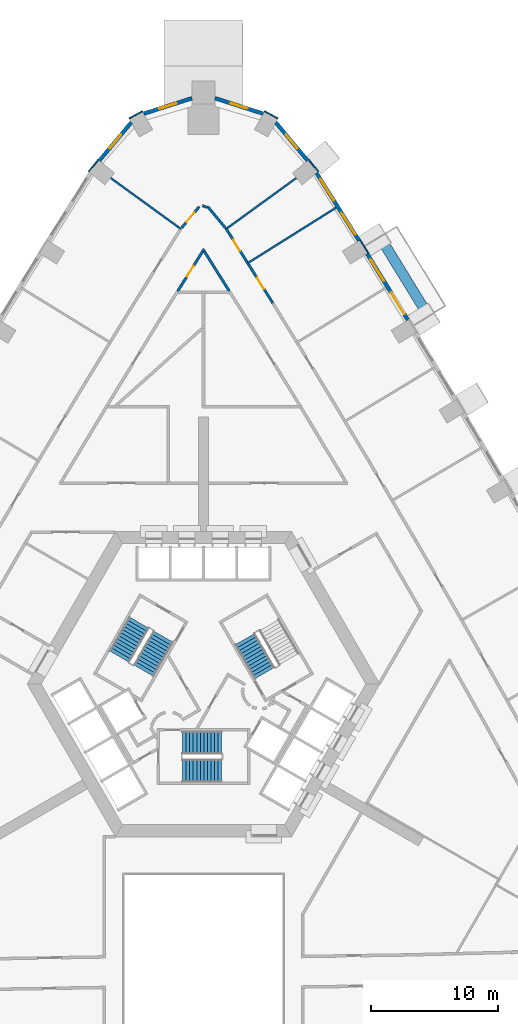
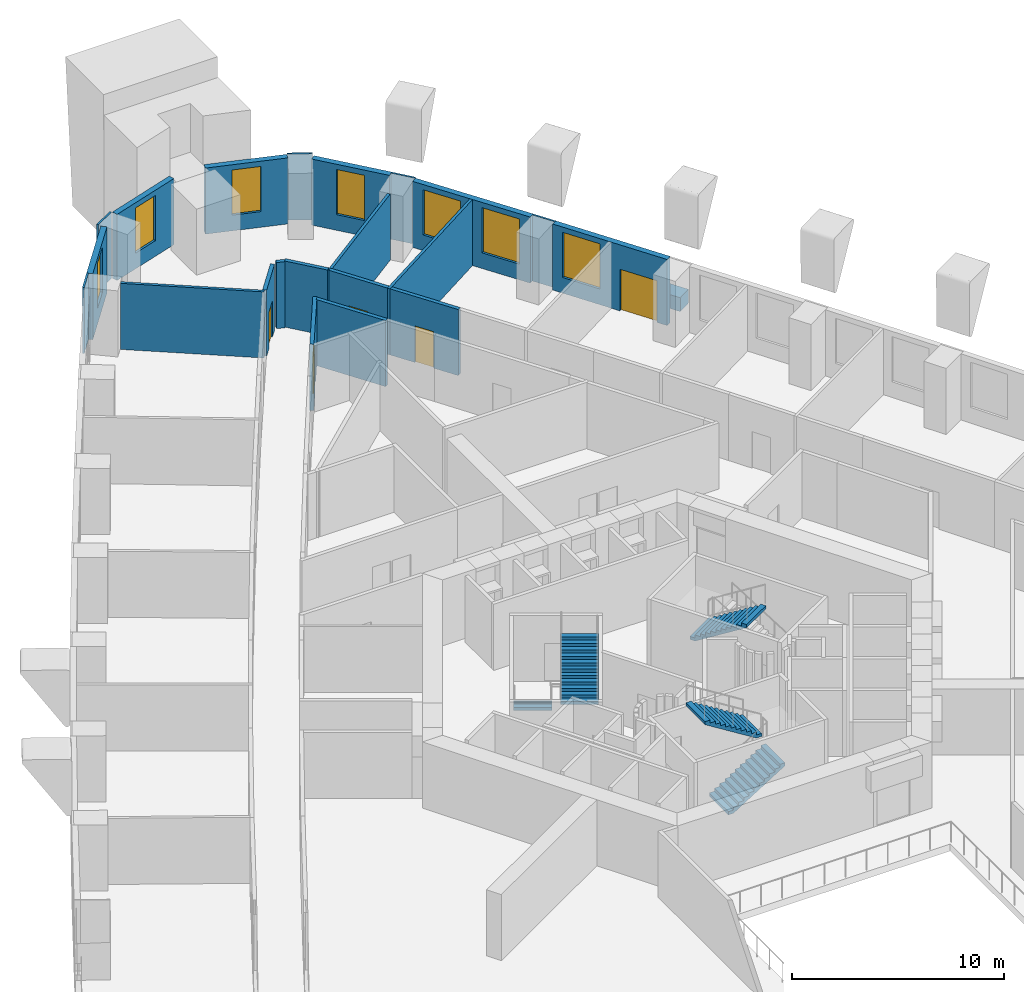
# One storey, part 12 of 17: 22 walls, 7 windows, 5 doors, 5 stair flights, 12 openings, 3 elements without a shape of their own.
"""IFC4 building model written with IfcOpenShell, lengths in metres."""

from ifc_helpers import new_model, si_unit, direction, frame, frame_2d, origin, place, context, subcontext, project, spatial, polyline, rectangle, outline, extrude, material, layer, layer_set, type_object, element, fill, aggregate, save


model = new_model("IFC4")

# Units and contexts
model_context = context("Model", 3, precision=1e-05, world=origin(), true_north=direction((0.0, 1.0)))
body_context = subcontext(model_context, "Body", "Model", "MODEL_VIEW")
ifc_project = project(units=[si_unit("LENGTHUNIT", "METRE"), si_unit("AREAUNIT", "SQUARE_METRE"), si_unit("VOLUMEUNIT", "CUBIC_METRE"), si_unit("PLANEANGLEUNIT", "RADIAN"), si_unit("MASSUNIT", "GRAM", prefix="KILO")], contexts=[model_context])

# Site, building, storey
site_placement = place(None, origin())
site = spatial("IfcSite", under=ifc_project, at=site_placement, CompositionType="ELEMENT")
building_placement = place(site_placement, origin())
building = spatial("IfcBuilding", under=site, at=building_placement, Name="Entoto Arch Interchange Tower", CompositionType="ELEMENT")
storey_placement = place(building_placement, frame((0.0, 0.0, 72.800048828125)))
storey = spatial("IfcBuildingStorey", under=building, at=storey_placement, Name="L15", CompositionType="ELEMENT", Elevation=72.800048828125)

# Walls
ifc_material_1 = material(Name="Gypsum board partition on steel studs", Category="steel")
ifc_layer_1 = layer(ifc_material_1, 0.14990234375)
ifc_layer_set_1 = layer_set([ifc_layer_1], Name="Gypsum board partition on steel studs")
wall_type_1 = type_object("IfcWallType", Name="PARTITION 150", PredefinedType="PARTITIONING", material=ifc_layer_set_1)
wall_1_placement = place(storey_placement, frame((3.39306640625, 35.54296875, 0.0), z_axis=(0.0, 0.0, 1.0), x_axis=(0.847089858839, 0.531449688166, 0.0)))
element("IfcWall", 1, at=wall_1_placement, inside=storey, type_object=wall_type_1, Name="wall:L15:p140", PredefinedType="PARTITIONING", context=body_context, shape_type="SweptSolid", body=[
    extrude(rectangle(XDim=8.30029296875, YDim=0.14990234375, at=frame_2d((4.150146484375, 0.0))), origin(), (0.0, 0.0, 1.0), 3.800048828125),
])
wall_2_placement = place(storey_placement, frame((1.7080078125, 38.22998046875, 0.0), z_axis=(0.0, 0.0, 1.0), x_axis=(0.809349578957, 0.58732721633, 0.0)))
element("IfcWall", 2, at=wall_2_placement, inside=storey, type_object=wall_type_1, Name="wall:L15:p141", PredefinedType="PARTITIONING", context=body_context, shape_type="SweptSolid", body=[
    extrude(rectangle(XDim=6.895751953125, YDim=0.14990234375, at=frame_2d((3.44775390625, 0.0))), origin(), (0.0, 0.0, 1.0), 3.800048828125),
])
wall_3_placement = place(storey_placement, frame((-1.7880859375, 38.2890625, 0.0), z_axis=(0.0, 0.0, 1.0), x_axis=(-0.809417495555, 0.587233614408, 0.0)))
element("IfcWall", 3, at=wall_3_placement, inside=storey, type_object=wall_type_1, Name="wall:L15:p142", PredefinedType="PARTITIONING", context=body_context, shape_type="SweptSolid", body=[
    extrude(rectangle(XDim=6.796142578125, YDim=0.14990234375, at=frame_2d((3.39794921875, 0.0))), origin(), (0.0, 0.0, 1.0), 3.800048828125),
])
ifc_layer_2 = layer(ifc_material_1, 0.199951171875)
ifc_layer_set_2 = layer_set([ifc_layer_2], Name="Gypsum board partition on steel studs")
wall_type_2 = type_object("IfcWallType", Name="PARTITION 200", PredefinedType="PARTITIONING", material=ifc_layer_set_2)
wall_4_placement = place(storey_placement, frame((2.031005859375, 33.385009765625, 0.0), z_axis=(0.0, 0.0, 1.0), x_axis=(-0.53130100335, 0.847183122967, 0.0)))
element("IfcWall", 4, at=wall_4_placement, inside=storey, type_object=wall_type_2, Name="wall:L15:p018", PredefinedType="PARTITIONING", context=body_context, shape_type="SweptSolid", body=[
    extrude(rectangle(XDim=3.722900390625, YDim=0.199951171875, at=frame_2d((1.861328125, 0.0))), origin(), (0.0, 0.0, 1.0), 3.800048828125),
])

# Wall, opening, door
wall_5_placement = place(storey_placement, frame((0.052978515625, 36.7080078125, 0.0), z_axis=(0.0, 0.0, 1.0), x_axis=(-0.53130190932, -0.847182554797, 0.0)))
wall_5 = element("IfcWall", 5, at=wall_5_placement, inside=storey, type_object=wall_type_2, Name="wall:L15:p019", PredefinedType="PARTITIONING", context=body_context, shape_type="SweptSolid", body=[
    extrude(rectangle(XDim=3.92236328125, YDim=0.199951171875, at=frame_2d((1.961181640625, 0.0))), origin(), (0.0, 0.0, 1.0), 3.800048828125),
])
opening_1_placement = place(wall_5_placement, frame((1.56201171875, 0.0, 0.0)))
opening_1 = element("IfcOpeningElement", 6, at=opening_1_placement, cuts=wall_5, Name="Opening L15-D28", PredefinedType="OPENING", context=body_context, shape_type="SweptSolid", body=[
    extrude(rectangle(XDim=1.0, YDim=2.10009765625, at=frame_2d((0.5, 1.050048828125))), frame((0.0, 0.10986328125, 0.0), z_axis=(0.0, -1.0, 0.0), x_axis=(1.0, 0.0, 0.0)), (0.0, 0.0, 1.0), 0.219970703125),
])
ifc_material_2 = material(Name="Timber door leaf in Steel S235 frame", Category="steel")
door_type_1 = type_object("IfcDoorType", Name="DOOR DS-10 1000x2100", OperationType="SINGLE_SWING_LEFT", PredefinedType="DOOR", material=ifc_material_2)
door_1_placement = place(opening_1_placement, origin())
door_1 = element("IfcDoor", 7, at=door_1_placement, inside=storey, type_object=door_type_1, Name="door:L15:28", OperationType="SINGLE_SWING_LEFT", OverallHeight=2.10009765625, OverallWidth=1.0, PredefinedType="DOOR", context=body_context, shape_type="SweptSolid", body=[
    extrude(rectangle(XDim=1.0, YDim=2.10009765625, at=frame_2d((0.5, 1.050048828125))), frame((0.0, 0.02490234375, 0.0), z_axis=(0.0, -1.0, 0.0), x_axis=(1.0, 0.0, 0.0)), (0.0, 0.0, 1.0), 0.050048828125),
])
fill(opening_1, door_1)

wall_6_placement = place(storey_placement, frame((3.51708984375, 35.532958984375, 0.0), z_axis=(0.0, 0.0, 1.0), x_axis=(0.531301282969, -0.847182947607, 0.0)))
wall_6 = element("IfcWall", 8, at=wall_6_placement, inside=storey, type_object=wall_type_2, Name="wall:L15:p054", PredefinedType="PARTITIONING", context=body_context, shape_type="SweptSolid", body=[
    extrude(rectangle(XDim=3.637939453125, YDim=0.199951171875, at=frame_2d((1.81884765625, 0.0))), origin(), (0.0, 0.0, 1.0), 3.800048828125),
])
opening_2_placement = place(wall_6_placement, frame((1.319091796875, 0.0, 0.0)))
opening_2 = element("IfcOpeningElement", 9, at=opening_2_placement, cuts=wall_6, Name="Opening L15-D09", PredefinedType="OPENING", context=body_context, shape_type="SweptSolid", body=[
    extrude(rectangle(XDim=1.0, YDim=2.10009765625, at=frame_2d((0.5, 1.050048828125))), frame((0.0, 0.10986328125, 0.0), z_axis=(0.0, -1.0, 0.0), x_axis=(1.0, 0.0, 0.0)), (0.0, 0.0, 1.0), 0.219970703125),
])
door_2_placement = place(opening_2_placement, origin())
door_2 = element("IfcDoor", 10, at=door_2_placement, inside=storey, type_object=door_type_1, Name="door:L15:09", OperationType="SINGLE_SWING_LEFT", OverallHeight=2.10009765625, OverallWidth=1.0, PredefinedType="DOOR", context=body_context, shape_type="SweptSolid", body=[
    extrude(rectangle(XDim=1.0, YDim=2.10009765625, at=frame_2d((0.5, 1.050048828125))), frame((0.0, 0.02490234375, 0.0), z_axis=(0.0, -1.0, 0.0), x_axis=(1.0, 0.0, 0.0)), (0.0, 0.0, 1.0), 0.050048828125),
])
fill(opening_2, door_2)

wall_7_placement = place(storey_placement, frame((1.77490234375, 38.31005859375, 0.0), z_axis=(0.0, 0.0, 1.0), x_axis=(0.531324164807, -0.847168597088, 0.0)))
wall_7 = element("IfcWall", 11, at=wall_7_placement, inside=storey, type_object=wall_type_2, Name="wall:L15:p056", PredefinedType="PARTITIONING", context=body_context, shape_type="SweptSolid", body=[
    extrude(rectangle(XDim=3.128173828125, YDim=0.199951171875, at=frame_2d((1.56396484375, 0.0))), origin(), (0.0, 0.0, 1.0), 3.800048828125),
])
opening_3_placement = place(wall_7_placement, frame((1.06396484375, 0.0, 0.0)))
opening_3 = element("IfcOpeningElement", 12, at=opening_3_placement, cuts=wall_7, Name="Opening L15-D10", PredefinedType="OPENING", context=body_context, shape_type="SweptSolid", body=[
    extrude(rectangle(XDim=1.0, YDim=2.10009765625, at=frame_2d((0.5, 1.050048828125))), frame((0.0, 0.10986328125, 0.0), z_axis=(0.0, -1.0, 0.0), x_axis=(1.0, 0.0, 0.0)), (0.0, 0.0, 1.0), 0.219970703125),
])
door_3_placement = place(opening_3_placement, origin())
door_3 = element("IfcDoor", 13, at=door_3_placement, inside=storey, type_object=door_type_1, Name="door:L15:10", OperationType="SINGLE_SWING_LEFT", OverallHeight=2.10009765625, OverallWidth=1.0, PredefinedType="DOOR", context=body_context, shape_type="SweptSolid", body=[
    extrude(rectangle(XDim=1.0, YDim=2.10009765625, at=frame_2d((0.5, 1.050048828125))), frame((0.0, 0.02490234375, 0.0), z_axis=(0.0, -1.0, 0.0), x_axis=(1.0, 0.0, 0.0)), (0.0, 0.0, 1.0), 0.050048828125),
])
fill(opening_3, door_3)

wall_8_placement = place(storey_placement, frame((-1.72412109375, 38.364990234375, 0.0), z_axis=(0.0, 0.0, 1.0), x_axis=(0.64036162185, 0.768073559799, 0.0)))
wall_8 = element("IfcWall", 14, at=wall_8_placement, inside=storey, type_object=wall_type_2, Name="wall:L15:p057", PredefinedType="PARTITIONING", context=body_context, shape_type="SweptSolid", body=[
    extrude(rectangle(XDim=2.167724609375, YDim=0.199951171875, at=frame_2d((1.083984375, 0.0))), origin(), (0.0, 0.0, 1.0), 3.800048828125),
])
opening_4_placement = place(wall_8_placement, frame((0.583984375, 0.0, 0.0)))
opening_4 = element("IfcOpeningElement", 15, at=opening_4_placement, cuts=wall_8, Name="Opening L15-D11", PredefinedType="OPENING", context=body_context, shape_type="SweptSolid", body=[
    extrude(rectangle(XDim=1.0, YDim=2.10009765625, at=frame_2d((0.5, 1.050048828125))), frame((0.0, 0.10986328125, 0.0), z_axis=(0.0, -1.0, 0.0), x_axis=(1.0, 0.0, 0.0)), (0.0, 0.0, 1.0), 0.219970703125),
])
door_4_placement = place(opening_4_placement, origin())
door_4 = element("IfcDoor", 16, at=door_4_placement, inside=storey, type_object=door_type_1, Name="door:L15:11", OperationType="SINGLE_SWING_LEFT", OverallHeight=2.10009765625, OverallWidth=1.0, PredefinedType="DOOR", context=body_context, shape_type="SweptSolid", body=[
    extrude(rectangle(XDim=1.0, YDim=2.10009765625, at=frame_2d((0.5, 1.050048828125))), frame((0.0, 0.02490234375, 0.0), z_axis=(0.0, -1.0, 0.0), x_axis=(1.0, 0.0, 0.0)), (0.0, 0.0, 1.0), 0.050048828125),
])
fill(opening_4, door_4)

# Walls
wall_9_placement = place(storey_placement, frame((-0.094970703125, 40.112060546875, 0.0), z_axis=(0.0, 0.0, 1.0), x_axis=(0.952282288042, -0.305218682065, 0.0)))
element("IfcWall", 17, at=wall_9_placement, inside=storey, type_object=wall_type_2, Name="wall:L15:p058", PredefinedType="PARTITIONING", context=body_context, shape_type="SweptSolid", body=[
    extrude(rectangle(XDim=0.419921875, YDim=0.199951171875, at=frame_2d((0.2099609375, 0.0))), origin(), (0.0, 0.0, 1.0), 3.800048828125),
])
wall_10_placement = place(storey_placement, frame((0.3359375, 40.030029296875, 0.0), z_axis=(0.0, 0.0, 1.0), x_axis=(0.64036162185, -0.768073559799, 0.0)))
element("IfcWall", 18, at=wall_10_placement, inside=storey, type_object=wall_type_2, Name="wall:L15:p059", PredefinedType="PARTITIONING", context=body_context, shape_type="SweptSolid", body=[
    extrude(rectangle(XDim=2.167724609375, YDim=0.199951171875, at=frame_2d((1.083984375, 0.0))), origin(), (0.0, 0.0, 1.0), 3.800048828125),
])
ifc_material_3 = material(Name="Board-marked precast concrete C50/60", Category="concrete")
ifc_layer_3 = layer(ifc_material_3, 0.800048828125)
ifc_layer_set_3 = layer_set([ifc_layer_3], Name="Board-marked precast concrete C50/60")
wall_type_3 = type_object("IfcWallType", Name="PLANTER RC 800 Juniperus procera", PredefinedType="STANDARD", material=ifc_layer_set_3)
wall_11_placement = place(storey_placement, frame((17.387939453125, 31.931884765625, 0.0), z_axis=(0.0, 0.0, 1.0), x_axis=(-0.523404063218, 0.852084612352, 0.0)))
element("IfcWall", 19, at=wall_11_placement, inside=storey, type_object=wall_type_3, Name="Planter NE-08 L15", PredefinedType="STANDARD", context=body_context, shape_type="SweptSolid", body=[
    extrude(rectangle(XDim=6.131103515625, YDim=0.800048828125, at=frame_2d((3.0654296875, 0.0))), origin(), (0.0, 0.0, 1.0), 0.800048828125),
])

# Wall, openings, door, window
ifc_material_4 = material(Name="Welded tuff (ignimbrite) cladding, warm buff", Category="masonry")
ifc_layer_4 = layer(ifc_material_4, 0.300048828125)
ifc_layer_set_4 = layer_set([ifc_layer_4], Name="Welded tuff (ignimbrite) cladding, warm buff")
wall_type_4 = type_object("IfcWallType", Name="STONE INFILL WALL 300", PredefinedType="STANDARD", material=ifc_layer_set_4)
wall_12_placement = place(storey_placement, frame((16.06689453125, 31.1201171875, 0.0), z_axis=(0.0, 0.0, 1.0), x_axis=(-0.523421823151, 0.852073702827, 0.0)))
wall_12 = element("IfcWall", 20, at=wall_12_placement, inside=storey, type_object=wall_type_4, Name="Facade wall NE-08 L15", PredefinedType="STANDARD", context=body_context, shape_type="SweptSolid", body=[
    extrude(rectangle(XDim=6.130859375, YDim=0.300048828125, at=frame_2d((3.0654296875, 0.0))), origin(), (0.0, 0.0, 1.0), 3.800048828125),
])
opening_5_placement = place(wall_12_placement, frame((0.532958984375, 0.0, 0.0)))
opening_5 = element("IfcOpeningElement", 21, at=opening_5_placement, cuts=wall_12, Name="Opening DB-NE-08-L15", PredefinedType="OPENING", context=body_context, shape_type="SweptSolid", body=[
    extrude(rectangle(XDim=2.0, YDim=2.39990234375, at=frame_2d((1.0, 1.199951171875))), frame((0.0, 0.16015625, 0.0), z_axis=(0.0, -1.0, 0.0), x_axis=(1.0, 0.0, 0.0)), (0.0, 0.0, 1.0), 0.320068359375),
])
opening_6_placement = place(wall_12_placement, frame((3.597900390625, 0.0, 0.89990234375)))
opening_6 = element("IfcOpeningElement", 22, at=opening_6_placement, cuts=wall_12, Name="Opening WO-C", PredefinedType="OPENING", context=body_context, shape_type="SweptSolid", body=[
    extrude(rectangle(XDim=2.0, YDim=2.60009765625, at=frame_2d((1.0, 1.300048828125))), frame((0.0, 0.16015625, 0.0), z_axis=(0.0, -1.0, 0.0), x_axis=(1.0, 0.0, 0.0)), (0.0, 0.0, 1.0), 0.320068359375),
])
ifc_material_5 = material(Name="Aluminium and clear glass, anodised", Category="aluminium")
door_type_2 = type_object("IfcDoorType", Name="BALCONY DOOR DB 2000x2400", OperationType="SLIDING_TO_LEFT", PredefinedType="DOOR", material=ifc_material_5)
door_5_placement = place(opening_5_placement, origin())
door_5 = element("IfcDoor", 23, at=door_5_placement, inside=storey, type_object=door_type_2, Name="Balcony door NE-08 L15", OperationType="SLIDING_TO_LEFT", OverallHeight=2.39990234375, OverallWidth=2.0, PredefinedType="DOOR", context=body_context, shape_type="SweptSolid", body=[
    extrude(rectangle(XDim=2.0, YDim=2.39990234375, at=frame_2d((1.0, 1.199951171875))), frame((0.0, 0.02490234375, 0.0), z_axis=(0.0, -1.0, 0.0), x_axis=(1.0, 0.0, 0.0)), (0.0, 0.0, 1.0), 0.050048828125),
])
fill(opening_5, door_5)
ifc_material_6 = material(Name="Clear glass, low-e double glazed", Category="glass")
window_type_1 = type_object("IfcWindowType", Name="WINDOW WO-C 2000x2600", PartitioningType="DOUBLE_PANEL_VERTICAL", PredefinedType="WINDOW", material=ifc_material_6)
window_1_placement = place(opening_6_placement, origin())
window_1 = element("IfcWindow", 24, at=window_1_placement, inside=storey, type_object=window_type_1, Name="Window WO-C NE-08 L15", OverallHeight=2.60009765625, OverallWidth=2.0, PartitioningType="SINGLE_PANEL", PredefinedType="WINDOW", context=body_context, shape_type="SweptSolid", body=[
    extrude(rectangle(XDim=2.0, YDim=2.60009765625, at=frame_2d((1.0, 1.300048828125))), frame((0.0, 0.030029296875, 0.0), z_axis=(0.0, -1.0, 0.0), x_axis=(1.0, 0.0, 0.0)), (0.0, 0.0, 1.0), 0.06005859375),
])
fill(opening_6, window_1)

# Wall, openings, windows
wall_13_placement = place(storey_placement, frame((12.22705078125, 37.362060546875, 0.0), z_axis=(0.0, 0.0, 1.0), x_axis=(-0.531357111884, 0.847147932565, 0.0)))
wall_13 = element("IfcWall", 25, at=wall_13_placement, inside=storey, type_object=wall_type_4, Name="Facade wall NE-09 L15", PredefinedType="STANDARD", context=body_context, shape_type="SweptSolid", body=[
    extrude(rectangle(XDim=6.2822265625, YDim=0.300048828125, at=frame_2d((3.14111328125, 0.0))), origin(), (0.0, 0.0, 1.0), 3.800048828125),
])
opening_7_placement = place(wall_13_placement, frame((0.571044921875, 0.0, 0.89990234375)))
opening_7 = element("IfcOpeningElement", 26, at=opening_7_placement, cuts=wall_13, Name="Opening WO-C", PredefinedType="OPENING", context=body_context, shape_type="SweptSolid", body=[
    extrude(rectangle(XDim=2.0, YDim=2.60009765625, at=frame_2d((1.0, 1.300048828125))), frame((0.0, 0.16015625, 0.0), z_axis=(0.0, -1.0, 0.0), x_axis=(1.0, 0.0, 0.0)), (0.0, 0.0, 1.0), 0.320068359375),
])
opening_8_placement = place(wall_13_placement, frame((3.7119140625, 0.0, 0.89990234375)))
opening_8 = element("IfcOpeningElement", 27, at=opening_8_placement, cuts=wall_13, Name="Opening WO-C", PredefinedType="OPENING", context=body_context, shape_type="SweptSolid", body=[
    extrude(rectangle(XDim=2.0, YDim=2.60009765625, at=frame_2d((1.0, 1.300048828125))), frame((0.0, 0.16015625, 0.0), z_axis=(0.0, -1.0, 0.0), x_axis=(1.0, 0.0, 0.0)), (0.0, 0.0, 1.0), 0.320068359375),
])
window_2_placement = place(opening_7_placement, origin())
window_2 = element("IfcWindow", 28, at=window_2_placement, inside=storey, type_object=window_type_1, Name="Window WO-C NE-09 L15", OverallHeight=2.60009765625, OverallWidth=2.0, PartitioningType="SINGLE_PANEL", PredefinedType="WINDOW", context=body_context, shape_type="SweptSolid", body=[
    extrude(rectangle(XDim=2.0, YDim=2.60009765625, at=frame_2d((1.0, 1.300048828125))), frame((0.0, 0.030029296875, 0.0), z_axis=(0.0, -1.0, 0.0), x_axis=(1.0, 0.0, 0.0)), (0.0, 0.0, 1.0), 0.06005859375),
])
fill(opening_7, window_2)
window_3_placement = place(opening_8_placement, origin())
window_3 = element("IfcWindow", 29, at=window_3_placement, inside=storey, type_object=window_type_1, Name="Window WO-C NE-09 L15", OverallHeight=2.60009765625, OverallWidth=2.0, PartitioningType="SINGLE_PANEL", PredefinedType="WINDOW", context=body_context, shape_type="SweptSolid", body=[
    extrude(rectangle(XDim=2.0, YDim=2.60009765625, at=frame_2d((1.0, 1.300048828125))), frame((0.0, 0.030029296875, 0.0), z_axis=(0.0, -1.0, 0.0), x_axis=(1.0, 0.0, 0.0)), (0.0, 0.0, 1.0), 0.06005859375),
])
fill(opening_8, window_3)

# Wall, opening, window
wall_14_placement = place(storey_placement, frame((8.18505859375, 43.656005859375, 0.0), z_axis=(0.0, 0.0, 1.0), x_axis=(-0.640565172846, 0.767903808649, 0.0)))
wall_14 = element("IfcWall", 30, at=wall_14_placement, inside=storey, type_object=wall_type_4, Name="Facade wall N-01 L15", PredefinedType="STANDARD", context=body_context, shape_type="SweptSolid", body=[
    extrude(rectangle(XDim=3.9091796875, YDim=0.300048828125, at=frame_2d((1.95458984375, 0.0))), origin(), (0.0, 0.0, 1.0), 3.800048828125),
])
opening_9_placement = place(wall_14_placement, frame((1.2548828125, 0.0, 0.89990234375)))
opening_9 = element("IfcOpeningElement", 31, at=opening_9_placement, cuts=wall_14, Name="Opening WO-B", PredefinedType="OPENING", context=body_context, shape_type="SweptSolid", body=[
    extrude(rectangle(XDim=1.39990234375, YDim=2.60009765625, at=frame_2d((0.699951171875, 1.300048828125))), frame((0.0, 0.16015625, 0.0), z_axis=(0.0, -1.0, 0.0), x_axis=(1.0, 0.0, 0.0)), (0.0, 0.0, 1.0), 0.320068359375),
])
window_type_2 = type_object("IfcWindowType", Name="WINDOW WO-B 1400x2600", PartitioningType="DOUBLE_PANEL_VERTICAL", PredefinedType="WINDOW", material=ifc_material_6)
window_4_placement = place(opening_9_placement, origin())
window_4 = element("IfcWindow", 32, at=window_4_placement, inside=storey, type_object=window_type_2, Name="Window WO-B N-01 L15", OverallHeight=2.60009765625, OverallWidth=1.39990234375, PartitioningType="SINGLE_PANEL", PredefinedType="WINDOW", context=body_context, shape_type="SweptSolid", body=[
    extrude(rectangle(XDim=1.39990234375, YDim=2.60009765625, at=frame_2d((0.699951171875, 1.300048828125))), frame((0.0, 0.030029296875, 0.0), z_axis=(0.0, -1.0, 0.0), x_axis=(1.0, 0.0, 0.0)), (0.0, 0.0, 1.0), 0.06005859375),
])
fill(opening_9, window_4)

wall_15_placement = place(storey_placement, frame((4.69189453125, 47.345947265625, 0.0), z_axis=(0.0, 0.0, 1.0), x_axis=(-0.95225533311, 0.30530276868, 0.0)))
wall_15 = element("IfcWall", 33, at=wall_15_placement, inside=storey, type_object=wall_type_4, Name="Facade wall N-02 L15", PredefinedType="STANDARD", context=body_context, shape_type="SweptSolid", body=[
    extrude(rectangle(XDim=3.983154296875, YDim=0.300048828125, at=frame_2d((1.99169921875, 0.0))), origin(), (0.0, 0.0, 1.0), 3.800048828125),
])
opening_10_placement = place(wall_15_placement, frame((1.2919921875, 0.0, 0.89990234375)))
opening_10 = element("IfcOpeningElement", 34, at=opening_10_placement, cuts=wall_15, Name="Opening WO-B", PredefinedType="OPENING", context=body_context, shape_type="SweptSolid", body=[
    extrude(rectangle(XDim=1.39990234375, YDim=2.60009765625, at=frame_2d((0.699951171875, 1.300048828125))), frame((0.0, 0.16015625, 0.0), z_axis=(0.0, -1.0, 0.0), x_axis=(1.0, 0.0, 0.0)), (0.0, 0.0, 1.0), 0.320068359375),
])
window_5_placement = place(opening_10_placement, origin())
window_5 = element("IfcWindow", 35, at=window_5_placement, inside=storey, type_object=window_type_2, Name="Window WO-B N-02 L15", OverallHeight=2.60009765625, OverallWidth=1.39990234375, PartitioningType="SINGLE_PANEL", PredefinedType="WINDOW", context=body_context, shape_type="SweptSolid", body=[
    extrude(rectangle(XDim=1.39990234375, YDim=2.60009765625, at=frame_2d((0.699951171875, 1.300048828125))), frame((0.0, 0.030029296875, 0.0), z_axis=(0.0, -1.0, 0.0), x_axis=(1.0, 0.0, 0.0)), (0.0, 0.0, 1.0), 0.06005859375),
])
fill(opening_10, window_5)

wall_16_placement = place(storey_placement, frame((-0.89892578125, 48.56201171875, 0.0), z_axis=(0.0, 0.0, 1.0), x_axis=(-0.95225533311, -0.30530276868, 0.0)))
wall_16 = element("IfcWall", 36, at=wall_16_placement, inside=storey, type_object=wall_type_4, Name="Facade wall N-03 L15", PredefinedType="STANDARD", context=body_context, shape_type="SweptSolid", body=[
    extrude(rectangle(XDim=3.983154296875, YDim=0.300048828125, at=frame_2d((1.99169921875, 0.0))), origin(), (0.0, 0.0, 1.0), 3.800048828125),
])
opening_11_placement = place(wall_16_placement, frame((1.2919921875, 0.0, 0.89990234375)))
opening_11 = element("IfcOpeningElement", 37, at=opening_11_placement, cuts=wall_16, Name="Opening WO-B", PredefinedType="OPENING", context=body_context, shape_type="SweptSolid", body=[
    extrude(rectangle(XDim=1.39990234375, YDim=2.60009765625, at=frame_2d((0.699951171875, 1.300048828125))), frame((0.0, 0.16015625, 0.0), z_axis=(0.0, -1.0, 0.0), x_axis=(1.0, 0.0, 0.0)), (0.0, 0.0, 1.0), 0.320068359375),
])
window_6_placement = place(opening_11_placement, origin())
window_6 = element("IfcWindow", 38, at=window_6_placement, inside=storey, type_object=window_type_2, Name="Window WO-B N-03 L15", OverallHeight=2.60009765625, OverallWidth=1.39990234375, PartitioningType="SINGLE_PANEL", PredefinedType="WINDOW", context=body_context, shape_type="SweptSolid", body=[
    extrude(rectangle(XDim=1.39990234375, YDim=2.60009765625, at=frame_2d((0.699951171875, 1.300048828125))), frame((0.0, 0.030029296875, 0.0), z_axis=(0.0, -1.0, 0.0), x_axis=(1.0, 0.0, 0.0)), (0.0, 0.0, 1.0), 0.06005859375),
])
fill(opening_11, window_6)

wall_17_placement = place(storey_placement, frame((-5.680908203125, 46.657958984375, 0.0), z_axis=(0.0, 0.0, 1.0), x_axis=(-0.640565172846, -0.767903808649, 0.0)))
wall_17 = element("IfcWall", 39, at=wall_17_placement, inside=storey, type_object=wall_type_4, Name="Facade wall N-04 L15", PredefinedType="STANDARD", context=body_context, shape_type="SweptSolid", body=[
    extrude(rectangle(XDim=3.9091796875, YDim=0.300048828125, at=frame_2d((1.95458984375, 0.0))), origin(), (0.0, 0.0, 1.0), 3.800048828125),
])
opening_12_placement = place(wall_17_placement, frame((1.2548828125, 0.0, 0.89990234375)))
opening_12 = element("IfcOpeningElement", 40, at=opening_12_placement, cuts=wall_17, Name="Opening WO-B", PredefinedType="OPENING", context=body_context, shape_type="SweptSolid", body=[
    extrude(rectangle(XDim=1.39990234375, YDim=2.60009765625, at=frame_2d((0.699951171875, 1.300048828125))), frame((0.0, 0.16015625, 0.0), z_axis=(0.0, -1.0, 0.0), x_axis=(1.0, 0.0, 0.0)), (0.0, 0.0, 1.0), 0.320068359375),
])
window_7_placement = place(opening_12_placement, origin())
window_7 = element("IfcWindow", 41, at=window_7_placement, inside=storey, type_object=window_type_2, Name="Window WO-B N-04 L15", OverallHeight=2.60009765625, OverallWidth=1.39990234375, PartitioningType="SINGLE_PANEL", PredefinedType="WINDOW", context=body_context, shape_type="SweptSolid", body=[
    extrude(rectangle(XDim=1.39990234375, YDim=2.60009765625, at=frame_2d((0.699951171875, 1.300048828125))), frame((0.0, 0.030029296875, 0.0), z_axis=(0.0, -1.0, 0.0), x_axis=(1.0, 0.0, 0.0)), (0.0, 0.0, 1.0), 0.06005859375),
])
fill(opening_12, window_7)

# Walls
ifc_layer_5 = layer(ifc_material_4, 0.10009765625)
ifc_layer_set_5 = layer_set([ifc_layer_5], Name="Welded tuff (ignimbrite) cladding, warm buff")
wall_type_5 = type_object("IfcWallType", Name="STONE PIER CLADDING 100", PredefinedType="STANDARD", material=ifc_layer_set_5)
for number, where, z_axis, x_axis, name in (
    (42, (5.847900390625, 46.9619140625, 0.0), (0.0, 0.0, 1.0), (-0.877069725045, 0.480363089141, 0.0), "Stone pier N1 L15"),
    (43, (-4.7958984375, 47.5380859375, 0.0), (0.0, 0.0, 1.0), (-0.877069725045, -0.480363089141, 0.0), "Stone pier N3 L15"),
    (44, (12.947998046875, 36.39892578125, 0.0), (0.0, 0.0, 1.0), (-0.53018187123, 0.847883944546, 0.0), "Stone pier NE09 L15"),
    (45, (9.028076171875, 42.798095703125, 0.0), (0.0, 0.0, 1.0), (-0.637859244555, 0.770152961518, 0.0), "Stone pier NE10 L15"),
    (46, (-8.262939453125, 43.721923828125, 0.0), (0.0, 0.0, 1.0), (-0.637859244555, -0.770152961518, 0.0), "Stone pier NW01 L15"),
):
    element("IfcWall", number, at=place(storey_placement, frame(where, z_axis=z_axis, x_axis=x_axis)), inside=storey, type_object=wall_type_5, Name=name, PredefinedType="STANDARD", context=body_context, shape_type="SweptSolid", body=[
        extrude(rectangle(XDim=1.199462890625, YDim=0.10009765625, at=frame_2d((0.599609375, 0.0))), origin(), (0.0, 0.0, 1.0), 3.800048828125),
    ])

# Stair, stair flights
ifc_material_7 = material(Name="Concrete C40/50", Category="concrete")
stair_type = type_object("IfcStairType", Name="EXIT STAIR RC 1800", PredefinedType="HALF_TURN_STAIR", material=ifc_material_7)
stair_1_placement = place(storey_placement, origin())
stair_1 = element("IfcStair", 47, at=stair_1_placement, inside=storey, type_object=stair_type, Name="L15 Exit stair S", PredefinedType="HALF_TURN_STAIR")
stair_flight_type = type_object("IfcStairFlightType", Name="EXIT STAIR FLIGHT RC 1800", PredefinedType="STRAIGHT", material=ifc_material_7)
stair_flight_1_placement = place(storey_placement, frame((-1.64990234375, -4.300048828125, 0.0), z_axis=(0.0, 0.0, 1.0), x_axis=(1.0, 0.0, 0.0)))
stair_flight_1 = element("IfcStairFlight", 48, at=stair_flight_1_placement, type_object=stair_flight_type, Name="ST-S flight 1", NumberOfRisers=12, NumberOfTreads=11, PredefinedType="STRAIGHT", RiserHeight=0.175, TreadLength=0.28, context=body_context, shape_type="SweptSolid", body=[
    extrude(outline(polyline([(-0.0029296875, 0.0), (-0.0029296875, 0.175048828125), (0.280029296875, 0.175048828125), (0.280029296875, 0.35009765625), (0.56005859375, 0.35009765625), (0.56005859375, 0.52490234375), (0.840087890625, 0.52490234375), (0.840087890625, 0.699951171875), (1.1201171875, 0.699951171875), (1.1201171875, 0.875), (1.39990234375, 0.875), (1.39990234375, 1.050048828125), (1.679931640625, 1.050048828125), (1.679931640625, 1.22509765625), (1.9599609375, 1.22509765625), (1.9599609375, 1.39990234375), (2.239990234375, 1.39990234375), (2.239990234375, 1.574951171875), (2.52001953125, 1.574951171875), (2.52001953125, 1.75), (2.800048828125, 1.75), (2.800048828125, 1.925048828125), (3.080078125, 1.925048828125), (3.0830078125, 1.925048828125), (3.0830078125, 1.75), (0.28271484375, 0.0), (-0.0029296875, 0.0)])), frame((0.0, 0.89990234375, 0.0), z_axis=(0.0, -1.0, 0.0), x_axis=(1.0, 0.0, 0.0)), (0.0, 0.0, 1.0), 1.800048828125),
])
stair_flight_2_placement = place(storey_placement, frame((1.429931640625, -2.10009765625, 2.099853515625), z_axis=(0.0, 0.0, 1.0), x_axis=(-1.0, 0.0, 0.0)))
stair_flight_2 = element("IfcStairFlight", 49, at=stair_flight_2_placement, type_object=stair_flight_type, Name="ST-S flight 2", NumberOfRisers=12, NumberOfTreads=11, PredefinedType="STRAIGHT", RiserHeight=0.175, TreadLength=0.28, context=body_context, shape_type="SweptSolid", body=[
    extrude(outline(polyline([(-0.0029296875, 0.0), (-0.0029296875, 0.175048828125), (0.280029296875, 0.175048828125), (0.280029296875, 0.35009765625), (0.56005859375, 0.35009765625), (0.56005859375, 0.52490234375), (0.840087890625, 0.52490234375), (0.840087890625, 0.699951171875), (1.1201171875, 0.699951171875), (1.1201171875, 0.875), (1.39990234375, 0.875), (1.39990234375, 1.050048828125), (1.679931640625, 1.050048828125), (1.679931640625, 1.22509765625), (1.9599609375, 1.22509765625), (1.9599609375, 1.39990234375), (2.239990234375, 1.39990234375), (2.239990234375, 1.574951171875), (2.52001953125, 1.574951171875), (2.52001953125, 1.75), (2.800048828125, 1.75), (2.800048828125, 1.925048828125), (3.080078125, 1.925048828125), (3.0830078125, 1.925048828125), (3.0830078125, 1.75), (0.28271484375, 0.0), (-0.0029296875, 0.0)])), frame((0.0, 0.89990234375, 0.0), z_axis=(0.0, -1.0, 0.0), x_axis=(1.0, 0.0, 0.0)), (0.0, 0.0, 1.0), 1.800048828125),
])
aggregate(stair_1, [stair_flight_1, stair_flight_2])

# Stair, stair flight
stair_2_placement = place(storey_placement, origin())
stair_2 = element("IfcStair", 50, at=stair_2_placement, inside=storey, type_object=stair_type, Name="L15 Exit stair NE", PredefinedType="HALF_TURN_STAIR")
stair_flight_3_placement = place(storey_placement, frame((3.268798828125, 6.038330078125, 2.099853515625), z_axis=(0.0, 0.0, 1.0), x_axis=(0.5, -0.866025403784, 0.0)))
stair_flight_3 = element("IfcStairFlight", 51, at=stair_flight_3_placement, type_object=stair_flight_type, Name="ST-NE flight 2", NumberOfRisers=12, NumberOfTreads=11, PredefinedType="STRAIGHT", RiserHeight=0.175, TreadLength=0.28, context=body_context, shape_type="SweptSolid", body=[
    extrude(outline(polyline([(-0.0029296875, 0.0), (-0.0029296875, 0.175048828125), (0.280029296875, 0.175048828125), (0.280029296875, 0.35009765625), (0.56005859375, 0.35009765625), (0.56005859375, 0.52490234375), (0.840087890625, 0.52490234375), (0.840087890625, 0.699951171875), (1.1201171875, 0.699951171875), (1.1201171875, 0.875), (1.39990234375, 0.875), (1.39990234375, 1.050048828125), (1.679931640625, 1.050048828125), (1.679931640625, 1.22509765625), (1.9599609375, 1.22509765625), (1.9599609375, 1.39990234375), (2.239990234375, 1.39990234375), (2.239990234375, 1.574951171875), (2.52001953125, 1.574951171875), (2.52001953125, 1.75), (2.800048828125, 1.75), (2.800048828125, 1.925048828125), (3.080078125, 1.925048828125), (3.0830078125, 1.925048828125), (3.0830078125, 1.75), (0.28271484375, 0.0), (-0.0029296875, 0.0)])), frame((0.0, 0.89990234375, 0.0), z_axis=(0.0, -1.0, 0.0), x_axis=(1.0, 0.0, 0.0)), (0.0, 0.0, 1.0), 1.800048828125),
])
aggregate(stair_2, [stair_flight_3])

# Stair, stair flights
stair_3_placement = place(storey_placement, origin())
stair_3 = element("IfcStair", 52, at=stair_3_placement, inside=storey, type_object=stair_type, Name="L15 Exit stair NW", PredefinedType="HALF_TURN_STAIR")
stair_flight_4_placement = place(storey_placement, frame((-5.06396484375, 7.328857421875, 0.0), z_axis=(0.0, 0.0, 1.0), x_axis=(-0.5, -0.866025403784, 0.0)))
stair_flight_4 = element("IfcStairFlight", 53, at=stair_flight_4_placement, type_object=stair_flight_type, Name="ST-NW flight 1", NumberOfRisers=12, NumberOfTreads=11, PredefinedType="STRAIGHT", RiserHeight=0.175, TreadLength=0.28, context=body_context, shape_type="SweptSolid", body=[
    extrude(outline(polyline([(-0.0029296875, 0.0), (-0.0029296875, 0.175048828125), (0.280029296875, 0.175048828125), (0.280029296875, 0.35009765625), (0.56005859375, 0.35009765625), (0.56005859375, 0.52490234375), (0.840087890625, 0.52490234375), (0.840087890625, 0.699951171875), (1.1201171875, 0.699951171875), (1.1201171875, 0.875), (1.39990234375, 0.875), (1.39990234375, 1.050048828125), (1.679931640625, 1.050048828125), (1.679931640625, 1.22509765625), (1.9599609375, 1.22509765625), (1.9599609375, 1.39990234375), (2.239990234375, 1.39990234375), (2.239990234375, 1.574951171875), (2.52001953125, 1.574951171875), (2.52001953125, 1.75), (2.800048828125, 1.75), (2.800048828125, 1.925048828125), (3.080078125, 1.925048828125), (3.0830078125, 1.925048828125), (3.0830078125, 1.75), (0.28271484375, 0.0), (-0.0029296875, 0.0)])), frame((0.0, 0.89990234375, 0.0), z_axis=(0.0, -1.0, 0.0), x_axis=(1.0, 0.0, 0.0)), (0.0, 0.0, 1.0), 1.800048828125),
])
stair_flight_5_placement = place(storey_placement, frame((-4.69873046875, 3.5615234375, 2.099853515625), z_axis=(0.0, 0.0, 1.0), x_axis=(0.5, 0.866025403784, 0.0)))
stair_flight_5 = element("IfcStairFlight", 54, at=stair_flight_5_placement, type_object=stair_flight_type, Name="ST-NW flight 2", NumberOfRisers=12, NumberOfTreads=11, PredefinedType="STRAIGHT", RiserHeight=0.175, TreadLength=0.28, context=body_context, shape_type="SweptSolid", body=[
    extrude(outline(polyline([(-0.0029296875, 0.0), (-0.0029296875, 0.175048828125), (0.280029296875, 0.175048828125), (0.280029296875, 0.35009765625), (0.56005859375, 0.35009765625), (0.56005859375, 0.52490234375), (0.840087890625, 0.52490234375), (0.840087890625, 0.699951171875), (1.1201171875, 0.699951171875), (1.1201171875, 0.875), (1.39990234375, 0.875), (1.39990234375, 1.050048828125), (1.679931640625, 1.050048828125), (1.679931640625, 1.22509765625), (1.9599609375, 1.22509765625), (1.9599609375, 1.39990234375), (2.239990234375, 1.39990234375), (2.239990234375, 1.574951171875), (2.52001953125, 1.574951171875), (2.52001953125, 1.75), (2.800048828125, 1.75), (2.800048828125, 1.925048828125), (3.080078125, 1.925048828125), (3.0830078125, 1.925048828125), (3.0830078125, 1.75), (0.28271484375, 0.0), (-0.0029296875, 0.0)])), frame((0.0, 0.89990234375, 0.0), z_axis=(0.0, -1.0, 0.0), x_axis=(1.0, 0.0, 0.0)), (0.0, 0.0, 1.0), 1.800048828125),
])
aggregate(stair_3, [stair_flight_4, stair_flight_5])

save(model, "model.ifc")
